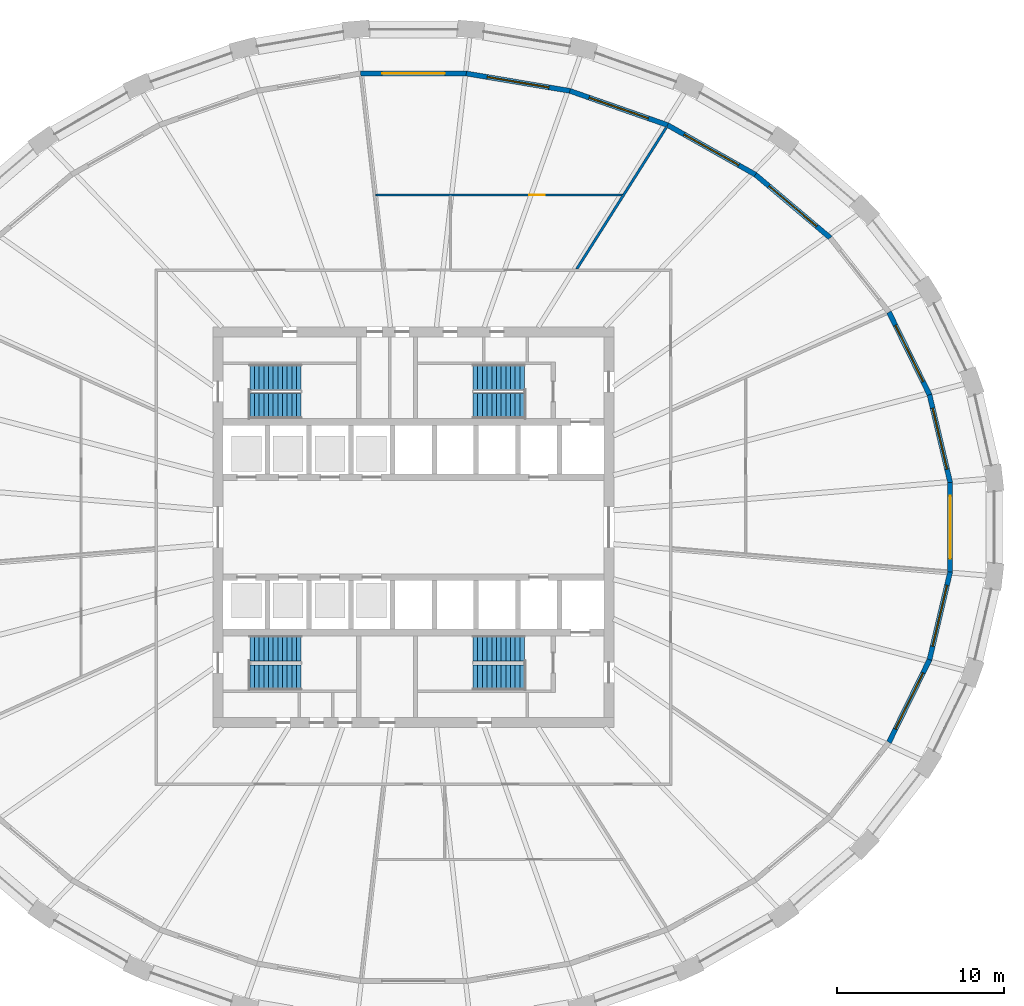
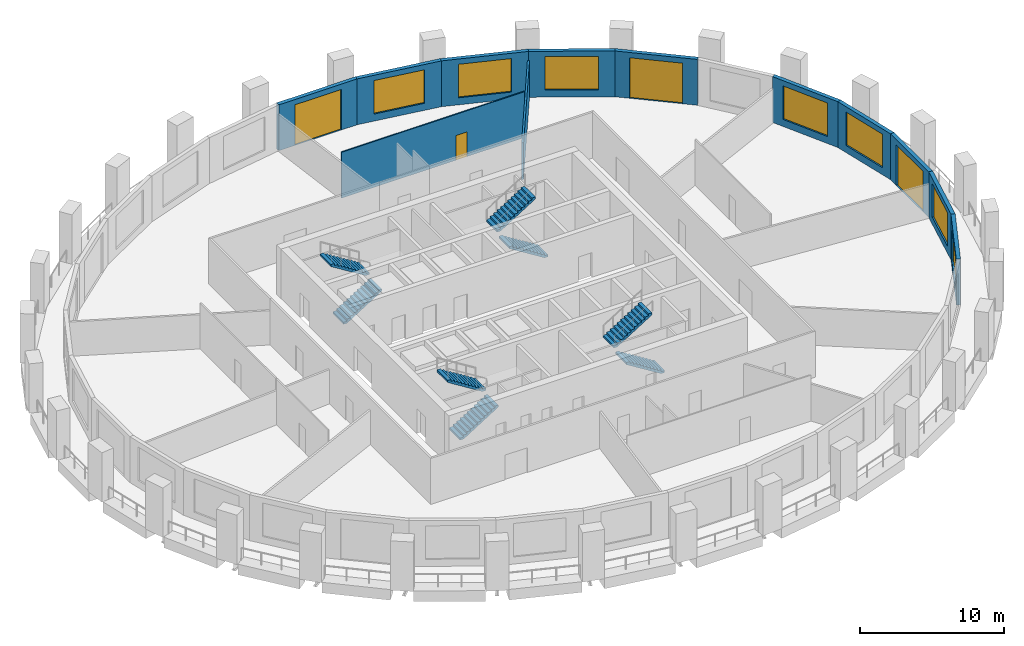
# One storey, part 7 of 10: 12 walls, 8 stair flights, 7 windows, 4 doors, 11 openings, 4 elements without a shape of their own.
"""IFC4 building model written with IfcOpenShell, lengths in metres."""

from ifc_helpers import new_model, si_unit, direction, frame, frame_2d, origin, place, context, subcontext, project, spatial, polyline, rectangle, outline, extrude, material, layer, layer_set, type_object, element, fill, aggregate, save


model = new_model("IFC4")

# Units and contexts
model_context = context("Model", 3, precision=1e-05, world=origin(), true_north=direction((0.0, 1.0)))
body_context = subcontext(model_context, "Body", "Model", "MODEL_VIEW")
ifc_project = project(units=[si_unit("LENGTHUNIT", "METRE"), si_unit("AREAUNIT", "SQUARE_METRE"), si_unit("VOLUMEUNIT", "CUBIC_METRE"), si_unit("PLANEANGLEUNIT", "RADIAN"), si_unit("MASSUNIT", "GRAM", prefix="KILO")], contexts=[model_context])

# Site, building, storey
site_placement = place(None, origin())
site = spatial("IfcSite", under=ifc_project, at=site_placement, CompositionType="ELEMENT")
building_placement = place(site_placement, origin())
building = spatial("IfcBuilding", under=site, at=building_placement, Name="Halqa Exchange Tower", CompositionType="ELEMENT")
storey_placement = place(building_placement, frame((0.0, 0.0, 121.300048828125)))
storey = spatial("IfcBuildingStorey", under=building, at=storey_placement, Name="L27", CompositionType="ELEMENT", Elevation=121.300048828125)

# Wall
ifc_material_1 = material(Name="Fire-rated gypsum board")
ifc_layer_1 = layer(ifc_material_1, 0.14990234375)
ifc_layer_set_1 = layer_set([ifc_layer_1], Name="Fire-rated gypsum board")
wall_type_1 = type_object("IfcWallType", Name="Fire partition EI 60 150", PredefinedType="PARTITIONING", material=ifc_layer_set_1)
wall_1_placement = place(storey_placement, frame((9.76220703125, 15.43505859375, 0.0), z_axis=(0.0, 0.0, 1.0), x_axis=(0.534830284385, 0.844959506074, 0.0)))
element("IfcWall", 1, at=wall_1_placement, inside=storey, type_object=wall_type_1, Name="L27-PWL-019", PredefinedType="PARTITIONING", context=body_context, shape_type="SweptSolid", body=[
    extrude(outline(polyline([(10.056884765625, 0.074951171875), (8.4697265625, 0.074951171875), (6.882568359375, 0.074951171875), (5.29541015625, 0.074951171875), (5.211181640625, 0.021728515625), (5.177490234375, 0.074951171875), (3.45166015625, 0.074951171875), (1.725830078125, 0.074951171875), (0.0, 0.074951171875), (0.0, 0.07470703125), (0.0947265625, -0.074951171875), (2.087158203125, -0.074951171875), (4.07958984375, -0.074951171875), (6.072021484375, -0.074951171875), (8.064453125, -0.074951171875), (10.056884765625, -0.074951171875), (10.056884765625, 0.074951171875)])), origin(), (0.0, 0.0, 1.0), 3.14697265625),
])

# Wall, opening, door
ifc_material_2 = material(Name="Gypsum board")
ifc_layer_2 = layer(ifc_material_2, 0.10009765625)
ifc_layer_set_2 = layer_set([ifc_layer_2], Name="Gypsum board")
wall_type_2 = type_object("IfcWallType", Name="Partition 100 gypsum", PredefinedType="PARTITIONING", material=ifc_layer_set_2)
wall_2_placement = place(storey_placement, frame((-2.2548828125, 19.89990234375, 0.0), z_axis=(0.0, 0.0, 1.0), x_axis=(1.0, 0.0, 0.0)))
wall_2 = element("IfcWall", 2, at=wall_2_placement, inside=storey, type_object=wall_type_2, Name="L27-PWL-013", PredefinedType="PARTITIONING", context=body_context, shape_type="SweptSolid", body=[
    extrude(outline(polyline([(0.011474609375, -0.050048828125), (1.479248046875, -0.050048828125), (2.947021484375, -0.050048828125), (4.414794921875, -0.050048828125), (4.414794921875, -0.0498046875), (4.514892578125, -0.0498046875), (4.514892578125, -0.050048828125), (6.21630859375, -0.050048828125), (7.91748046875, -0.050048828125), (9.618896484375, -0.050048828125), (11.320068359375, -0.050048828125), (13.021484375, -0.050048828125), (14.72265625, -0.050048828125), (14.77490234375, 0.032470703125), (14.77490234375, 0.0322265625), (14.785888671875, 0.0498046875), (14.785888671875, 0.050048828125), (12.937744140625, 0.050048828125), (11.08935546875, 0.050048828125), (9.2412109375, 0.050048828125), (7.39306640625, 0.050048828125), (5.544677734375, 0.050048828125), (3.696533203125, 0.050048828125), (1.84814453125, 0.050048828125), (0.0, 0.050048828125), (0.0, 0.048095703125), (0.011474609375, -0.050048828125)])), origin(), (0.0, 0.0, 1.0), 3.89990234375),
])
opening_1_placement = place(wall_2_placement, frame((9.205078125, 0.0, 0.0)))
opening_1 = element("IfcOpeningElement", 3, at=opening_1_placement, cuts=wall_2, Name="Opening 08-14", PredefinedType="OPENING", context=body_context, shape_type="SweptSolid", body=[
    extrude(rectangle(XDim=0.89990234375, YDim=2.10009765625, at=frame_2d((0.449951171875, 1.050048828125))), frame((0.0, 0.06201171875, 0.0), z_axis=(0.0, -1.0, 0.0), x_axis=(1.0, 0.0, 0.0)), (0.0, 0.0, 1.0), 0.1240234375),
])
ifc_material_3 = material(Name="Timber door leaf", Category="wood")
door_type_1 = type_object("IfcDoorType", Name="Door 900 x 2100", OperationType="SINGLE_SWING_LEFT", PredefinedType="DOOR", material=ifc_material_3)
door_1_placement = place(opening_1_placement, frame((0.89990234375, 0.0, 0.0), z_axis=(0.0, 0.0, 1.0), x_axis=(-1.0, 0.0, 0.0)))
door_1 = element("IfcDoor", 4, at=door_1_placement, inside=storey, type_object=door_type_1, Name="L27-IDR-014", OperationType="SINGLE_SWING_RIGHT", OverallHeight=2.10009765625, OverallWidth=0.89990234375, PredefinedType="DOOR", context=body_context, shape_type="SweptSolid", body=[
    extrude(rectangle(XDim=0.89990234375, YDim=2.10009765625, at=frame_2d((0.449951171875, 1.050048828125))), frame((0.0, 0.02490234375, 0.0), z_axis=(0.0, -1.0, 0.0), x_axis=(1.0, 0.0, 0.0)), (0.0, 0.0, 1.0), 0.050048828125),
])
fill(opening_1, door_1)

# Wall, opening, window
ifc_material_4 = material(Name="Limestone cladding", Category="masonry")
ifc_layer_3 = layer(ifc_material_4, 0.0400390625)
ifc_material_5 = material(Name="Ventilated cavity")
ifc_layer_4 = layer(ifc_material_5, 0.030029296875, ventilated=True)
ifc_material_6 = material(Name="Mineral wool insulation")
ifc_layer_5 = layer(ifc_material_6, 0.10009765625)
ifc_material_7 = material(Name="Concrete C30/37", Category="concrete")
ifc_layer_6 = layer(ifc_material_7, 0.10009765625)
ifc_material_8 = material(Name="Internal plaster")
ifc_layer_7 = layer(ifc_material_8, 0.030029296875)
ifc_layer_set_3 = layer_set([ifc_layer_3, ifc_layer_4, ifc_layer_5, ifc_layer_6, ifc_layer_7], Name="Stone-faced insulated wall 300")
wall_type_3 = type_object("IfcWallType", Name="Stone-faced insulated wall 300", PredefinedType="STANDARD", material=ifc_layer_set_3)
wall_3_placement = place(storey_placement, frame((32.142578125, 2.678955078125, 0.0), z_axis=(0.0, 0.0, 1.0), x_axis=(-0.229200658045, 0.973379195561, 0.0)))
wall_3 = element("IfcWall", 5, at=wall_3_placement, inside=storey, type_object=wall_type_3, Name="Glass-line wall 1", PredefinedType="STANDARD", context=body_context, shape_type="SweptSolid", body=[
    extrude(outline(polyline([(-0.017333984375, -0.14990234375), (5.415283203125, -0.14990234375), (5.381591796875, 0.14990234375), (0.017333984375, 0.14990234375), (-0.017333984375, -0.14990234375)])), origin(), (0.0, 0.0, 1.0), 3.89990234375),
])
opening_2_placement = place(wall_3_placement, frame((0.82421875, 0.0, 0.60009765625)))
opening_2 = element("IfcOpeningElement", 6, at=opening_2_placement, cuts=wall_3, Name="Opening W-F2-01", PredefinedType="OPENING", context=body_context, shape_type="SweptSolid", body=[
    extrude(rectangle(XDim=3.75, YDim=2.85009765625, at=frame_2d((1.875, 1.425048828125))), frame((0.0, 0.162109375, 0.0), z_axis=(0.0, -1.0, 0.0), x_axis=(1.0, 0.0, 0.0)), (0.0, 0.0, 1.0), 0.323974609375),
])
ifc_material_9 = material(Name="Clear low-emissivity glass in aluminium frame", Category="aluminium")
window_type = type_object("IfcWindowType", Name="Fixed clear glazed window 3750 x 2850", PartitioningType="TRIPLE_PANEL_VERTICAL", PredefinedType="WINDOW", material=ifc_material_9)
window_1_placement = place(opening_2_placement, origin())
window_1 = element("IfcWindow", 7, at=window_1_placement, inside=storey, type_object=window_type, Name="Window 2", OverallHeight=2.85009765625, OverallWidth=3.75, PartitioningType="TRIPLE_PANEL_VERTICAL", PredefinedType="WINDOW", context=body_context, shape_type="SweptSolid", body=[
    extrude(rectangle(XDim=3.75, YDim=2.85009765625, at=frame_2d((1.875, 1.425048828125))), frame((0.0, 0.030029296875, 0.0), z_axis=(0.0, -1.0, 0.0), x_axis=(1.0, 0.0, 0.0)), (0.0, 0.0, 1.0), 0.06005859375),
])
fill(opening_2, window_1)

wall_4_placement = place(storey_placement, frame((30.9052734375, 7.93359375, 0.0), z_axis=(0.0, 0.0, 1.0), x_axis=(-0.440306401535, 0.897847577692, 0.0)))
wall_4 = element("IfcWall", 8, at=wall_4_placement, inside=storey, type_object=wall_type_3, Name="Glass-line wall 2", PredefinedType="STANDARD", context=body_context, shape_type="SweptSolid", body=[
    extrude(outline(polyline([(-0.016845703125, -0.14990234375), (5.526611328125, -0.14990234375), (5.494384765625, 0.14990234375), (0.016845703125, 0.14990234375), (-0.016845703125, -0.14990234375)])), origin(), (0.0, 0.0, 1.0), 3.89990234375),
])
opening_3_placement = place(wall_4_placement, frame((0.880126953125, 0.0, 0.60009765625)))
opening_3 = element("IfcOpeningElement", 9, at=opening_3_placement, cuts=wall_4, Name="Opening W-F2-02", PredefinedType="OPENING", context=body_context, shape_type="SweptSolid", body=[
    extrude(rectangle(XDim=3.75, YDim=2.85009765625, at=frame_2d((1.875, 1.425048828125))), frame((0.0, 0.162109375, 0.0), z_axis=(0.0, -1.0, 0.0), x_axis=(1.0, 0.0, 0.0)), (0.0, 0.0, 1.0), 0.323974609375),
])
window_2_placement = place(opening_3_placement, origin())
window_2 = element("IfcWindow", 10, at=window_2_placement, inside=storey, type_object=window_type, Name="Window 2", OverallHeight=2.85009765625, OverallWidth=3.75, PartitioningType="TRIPLE_PANEL_VERTICAL", PredefinedType="WINDOW", context=body_context, shape_type="SweptSolid", body=[
    extrude(rectangle(XDim=3.75, YDim=2.85009765625, at=frame_2d((1.875, 1.425048828125))), frame((0.0, 0.030029296875, 0.0), z_axis=(0.0, -1.0, 0.0), x_axis=(1.0, 0.0, 0.0)), (0.0, 0.0, 1.0), 0.06005859375),
])
fill(opening_3, window_2)

# Wall, opening, door
wall_5_placement = place(storey_placement, frame((24.95849609375, 17.331787109375, 0.0), z_axis=(0.0, 0.0, 1.0), x_axis=(-0.763937302001, 0.645290476151, 0.0)))
wall_5 = element("IfcWall", 11, at=wall_5_placement, inside=storey, type_object=wall_type_3, Name="Glass-line wall 4", PredefinedType="STANDARD", context=body_context, shape_type="SweptSolid", body=[
    extrude(outline(polyline([(-0.01513671875, -0.14990234375), (5.87646484375, -0.14990234375), (5.84814453125, 0.14990234375), (0.01513671875, 0.14990234375), (-0.01513671875, -0.14990234375)])), origin(), (0.0, 0.0, 1.0), 3.89990234375),
])
opening_4_placement = place(wall_5_placement, frame((1.05615234375, 0.0, 0.0)))
opening_4 = element("IfcOpeningElement", 12, at=opening_4_placement, cuts=wall_5, Name="Opening LG-F2-01", PredefinedType="OPENING", context=body_context, shape_type="SweptSolid", body=[
    extrude(rectangle(XDim=3.75, YDim=3.449951171875, at=frame_2d((1.875, 1.72509765625))), frame((0.0, 0.162109375, 0.0), z_axis=(0.0, -1.0, 0.0), x_axis=(1.0, 0.0, 0.0)), (0.0, 0.0, 1.0), 0.323974609375),
])
door_type_2 = type_object("IfcDoorType", Name="Glazed sliding loggia door 3750 x 3450", OperationType="DOUBLE_DOOR_SLIDING", PredefinedType="DOOR", material=ifc_material_9)
door_2_placement = place(opening_4_placement, origin())
door_2 = element("IfcDoor", 13, at=door_2_placement, inside=storey, type_object=door_type_2, Name="Loggia door 1", OperationType="DOUBLE_DOOR_SLIDING", OverallHeight=3.449951171875, OverallWidth=3.75, PredefinedType="DOOR", context=body_context, shape_type="SweptSolid", body=[
    extrude(rectangle(XDim=3.75, YDim=3.449951171875, at=frame_2d((1.875, 1.72509765625))), frame((0.0, 0.02490234375, 0.0), z_axis=(0.0, -1.0, 0.0), x_axis=(1.0, 0.0, 0.0)), (0.0, 0.0, 1.0), 0.050048828125),
])
fill(opening_4, door_2)

# Wall, opening, window
wall_6_placement = place(storey_placement, frame((20.47998046875, 21.11474609375, 0.0), z_axis=(0.0, 0.0, 1.0), x_axis=(-0.870858332497, 0.491534093142, 0.0)))
wall_6 = element("IfcWall", 14, at=wall_6_placement, inside=storey, type_object=wall_type_3, Name="Glass-line wall 5", PredefinedType="STANDARD", context=body_context, shape_type="SweptSolid", body=[
    extrude(outline(polyline([(-0.01416015625, -0.14990234375), (6.0576171875, -0.14990234375), (6.03076171875, 0.14990234375), (0.01416015625, 0.14990234375), (-0.01416015625, -0.14990234375)])), origin(), (0.0, 0.0, 1.0), 3.89990234375),
])
opening_5_placement = place(wall_6_placement, frame((1.147216796875, 0.0, 0.60009765625)))
opening_5 = element("IfcOpeningElement", 15, at=opening_5_placement, cuts=wall_6, Name="Opening W-F2-05", PredefinedType="OPENING", context=body_context, shape_type="SweptSolid", body=[
    extrude(rectangle(XDim=3.75, YDim=2.85009765625, at=frame_2d((1.875, 1.425048828125))), frame((0.0, 0.162109375, 0.0), z_axis=(0.0, -1.0, 0.0), x_axis=(1.0, 0.0, 0.0)), (0.0, 0.0, 1.0), 0.323974609375),
])
window_3_placement = place(opening_5_placement, origin())
window_3 = element("IfcWindow", 16, at=window_3_placement, inside=storey, type_object=window_type, Name="Window 2", OverallHeight=2.85009765625, OverallWidth=3.75, PartitioningType="TRIPLE_PANEL_VERTICAL", PredefinedType="WINDOW", context=body_context, shape_type="SweptSolid", body=[
    extrude(rectangle(XDim=3.75, YDim=2.85009765625, at=frame_2d((1.875, 1.425048828125))), frame((0.0, 0.030029296875, 0.0), z_axis=(0.0, -1.0, 0.0), x_axis=(1.0, 0.0, 0.0)), (0.0, 0.0, 1.0), 0.06005859375),
])
fill(opening_5, window_3)

wall_7_placement = place(storey_placement, frame((15.21630859375, 24.085693359375, 0.0), z_axis=(0.0, 0.0, 1.0), x_axis=(-0.94389706045, 0.330239820849, 0.0)))
wall_7 = element("IfcWall", 17, at=wall_7_placement, inside=storey, type_object=wall_type_3, Name="Glass-line wall 6", PredefinedType="STANDARD", context=body_context, shape_type="SweptSolid", body=[
    extrude(outline(polyline([(-0.013427734375, -0.14990234375), (6.20703125, -0.14990234375), (6.181640625, 0.14990234375), (0.013427734375, 0.14990234375), (-0.013427734375, -0.14990234375)])), origin(), (0.0, 0.0, 1.0), 3.89990234375),
])
opening_6_placement = place(wall_7_placement, frame((1.22216796875, 0.0, 0.60009765625)))
opening_6 = element("IfcOpeningElement", 18, at=opening_6_placement, cuts=wall_7, Name="Opening W-F2-06", PredefinedType="OPENING", context=body_context, shape_type="SweptSolid", body=[
    extrude(rectangle(XDim=3.75, YDim=2.85009765625, at=frame_2d((1.875, 1.425048828125))), frame((0.0, 0.162109375, 0.0), z_axis=(0.0, -1.0, 0.0), x_axis=(1.0, 0.0, 0.0)), (0.0, 0.0, 1.0), 0.323974609375),
])
window_4_placement = place(opening_6_placement, origin())
window_4 = element("IfcWindow", 19, at=window_4_placement, inside=storey, type_object=window_type, Name="Window 2", OverallHeight=2.85009765625, OverallWidth=3.75, PartitioningType="TRIPLE_PANEL_VERTICAL", PredefinedType="WINDOW", context=body_context, shape_type="SweptSolid", body=[
    extrude(rectangle(XDim=3.75, YDim=2.85009765625, at=frame_2d((1.875, 1.425048828125))), frame((0.0, 0.030029296875, 0.0), z_axis=(0.0, -1.0, 0.0), x_axis=(1.0, 0.0, 0.0)), (0.0, 0.0, 1.0), 0.06005859375),
])
fill(opening_6, window_4)

wall_8_placement = place(storey_placement, frame((9.369384765625, 26.13134765625, 0.0), z_axis=(0.0, 0.0, 1.0), x_axis=(-0.986176011722, 0.165701158427, 0.0)))
wall_8 = element("IfcWall", 20, at=wall_8_placement, inside=storey, type_object=wall_type_3, Name="Glass-line wall 7", PredefinedType="STANDARD", context=body_context, shape_type="SweptSolid", body=[
    extrude(outline(polyline([(-0.0126953125, -0.14990234375), (6.30517578125, -0.14990234375), (6.2802734375, 0.14990234375), (0.0126953125, 0.14990234375), (-0.0126953125, -0.14990234375)])), origin(), (0.0, 0.0, 1.0), 3.89990234375),
])
opening_7_placement = place(wall_8_placement, frame((1.271484375, 0.0, 0.60009765625)))
opening_7 = element("IfcOpeningElement", 21, at=opening_7_placement, cuts=wall_8, Name="Opening W-F2-07", PredefinedType="OPENING", context=body_context, shape_type="SweptSolid", body=[
    extrude(rectangle(XDim=3.75, YDim=2.85009765625, at=frame_2d((1.875, 1.425048828125))), frame((0.0, 0.162109375, 0.0), z_axis=(0.0, -1.0, 0.0), x_axis=(1.0, 0.0, 0.0)), (0.0, 0.0, 1.0), 0.323974609375),
])
window_5_placement = place(opening_7_placement, origin())
window_5 = element("IfcWindow", 22, at=window_5_placement, inside=storey, type_object=window_type, Name="Window 2", OverallHeight=2.85009765625, OverallWidth=3.75, PartitioningType="TRIPLE_PANEL_VERTICAL", PredefinedType="WINDOW", context=body_context, shape_type="SweptSolid", body=[
    extrude(rectangle(XDim=3.75, YDim=2.85009765625, at=frame_2d((1.875, 1.425048828125))), frame((0.0, 0.030029296875, 0.0), z_axis=(0.0, -1.0, 0.0), x_axis=(1.0, 0.0, 0.0)), (0.0, 0.0, 1.0), 0.06005859375),
])
fill(opening_7, window_5)

# Wall, opening, door
wall_9_placement = place(storey_placement, frame((3.16357421875, 27.174072265625, 0.0), z_axis=(0.0, 0.0, 1.0), x_axis=(-1.0, 0.0, 0.0)))
wall_9 = element("IfcWall", 23, at=wall_9_placement, inside=storey, type_object=wall_type_3, Name="Glass-line wall 8", PredefinedType="STANDARD", context=body_context, shape_type="SweptSolid", body=[
    extrude(outline(polyline([(-0.012451171875, -0.14990234375), (6.339599609375, -0.14990234375), (6.314697265625, 0.14990234375), (0.012451171875, 0.14990234375), (-0.012451171875, -0.14990234375)])), origin(), (0.0, 0.0, 1.0), 3.89990234375),
])
opening_8_placement = place(wall_9_placement, frame((1.28857421875, 0.0, 0.0)))
opening_8 = element("IfcOpeningElement", 24, at=opening_8_placement, cuts=wall_9, Name="Opening LG-F2-02", PredefinedType="OPENING", context=body_context, shape_type="SweptSolid", body=[
    extrude(rectangle(XDim=3.75, YDim=3.449951171875, at=frame_2d((1.875, 1.72509765625))), frame((0.0, 0.162109375, 0.0), z_axis=(0.0, -1.0, 0.0), x_axis=(1.0, 0.0, 0.0)), (0.0, 0.0, 1.0), 0.323974609375),
])
door_3_placement = place(opening_8_placement, origin())
door_3 = element("IfcDoor", 25, at=door_3_placement, inside=storey, type_object=door_type_2, Name="Loggia door 2", OperationType="DOUBLE_DOOR_SLIDING", OverallHeight=3.449951171875, OverallWidth=3.75, PredefinedType="DOOR", context=body_context, shape_type="SweptSolid", body=[
    extrude(rectangle(XDim=3.75, YDim=3.449951171875, at=frame_2d((1.875, 1.72509765625))), frame((0.0, 0.02490234375, 0.0), z_axis=(0.0, -1.0, 0.0), x_axis=(1.0, 0.0, 0.0)), (0.0, 0.0, 1.0), 0.050048828125),
])
fill(opening_8, door_3)

# Wall, opening, window
wall_10_placement = place(storey_placement, frame((28.47900390625, -12.881103515625, 0.0), z_axis=(0.0, 0.0, 1.0), x_axis=(0.440306401535, 0.897847577692, 0.0)))
wall_10 = element("IfcWall", 26, at=wall_10_placement, inside=storey, type_object=wall_type_3, Name="Glass-line wall 30", PredefinedType="STANDARD", context=body_context, shape_type="SweptSolid", body=[
    extrude(outline(polyline([(-0.01611328125, -0.14990234375), (5.52734375, -0.14990234375), (5.49365234375, 0.14990234375), (0.01611328125, 0.14990234375), (-0.01611328125, -0.14990234375)])), origin(), (0.0, 0.0, 1.0), 3.89990234375),
])
opening_9_placement = place(wall_10_placement, frame((0.880126953125, 0.0, 0.60009765625)))
opening_9 = element("IfcOpeningElement", 27, at=opening_9_placement, cuts=wall_10, Name="Opening W-F2-30", PredefinedType="OPENING", context=body_context, shape_type="SweptSolid", body=[
    extrude(rectangle(XDim=3.75, YDim=2.85009765625, at=frame_2d((1.875, 1.425048828125))), frame((0.0, 0.162109375, 0.0), z_axis=(0.0, -1.0, 0.0), x_axis=(1.0, 0.0, 0.0)), (0.0, 0.0, 1.0), 0.323974609375),
])
window_6_placement = place(opening_9_placement, origin())
window_6 = element("IfcWindow", 28, at=window_6_placement, inside=storey, type_object=window_type, Name="Window 2", OverallHeight=2.85009765625, OverallWidth=3.75, PartitioningType="TRIPLE_PANEL_VERTICAL", PredefinedType="WINDOW", context=body_context, shape_type="SweptSolid", body=[
    extrude(rectangle(XDim=3.75, YDim=2.85009765625, at=frame_2d((1.875, 1.425048828125))), frame((0.0, 0.030029296875, 0.0), z_axis=(0.0, -1.0, 0.0), x_axis=(1.0, 0.0, 0.0)), (0.0, 0.0, 1.0), 0.06005859375),
])
fill(opening_9, window_6)

wall_11_placement = place(storey_placement, frame((30.9052734375, -7.93359375, 0.0), z_axis=(0.0, 0.0, 1.0), x_axis=(0.229200658045, 0.973379195561, 0.0)))
wall_11 = element("IfcWall", 29, at=wall_11_placement, inside=storey, type_object=wall_type_3, Name="Glass-line wall 31", PredefinedType="STANDARD", context=body_context, shape_type="SweptSolid", body=[
    extrude(outline(polyline([(-0.016845703125, -0.14990234375), (5.415771484375, -0.14990234375), (5.381103515625, 0.14990234375), (0.016845703125, 0.14990234375), (-0.016845703125, -0.14990234375)])), origin(), (0.0, 0.0, 1.0), 3.89990234375),
])
opening_10_placement = place(wall_11_placement, frame((0.82421875, 0.0, 0.60009765625)))
opening_10 = element("IfcOpeningElement", 30, at=opening_10_placement, cuts=wall_11, Name="Opening W-F2-31", PredefinedType="OPENING", context=body_context, shape_type="SweptSolid", body=[
    extrude(rectangle(XDim=3.75, YDim=2.85009765625, at=frame_2d((1.875, 1.425048828125))), frame((0.0, 0.162109375, 0.0), z_axis=(0.0, -1.0, 0.0), x_axis=(1.0, 0.0, 0.0)), (0.0, 0.0, 1.0), 0.323974609375),
])
window_7_placement = place(opening_10_placement, origin())
window_7 = element("IfcWindow", 31, at=window_7_placement, inside=storey, type_object=window_type, Name="Window 2", OverallHeight=2.85009765625, OverallWidth=3.75, PartitioningType="TRIPLE_PANEL_VERTICAL", PredefinedType="WINDOW", context=body_context, shape_type="SweptSolid", body=[
    extrude(rectangle(XDim=3.75, YDim=2.85009765625, at=frame_2d((1.875, 1.425048828125))), frame((0.0, 0.030029296875, 0.0), z_axis=(0.0, -1.0, 0.0), x_axis=(1.0, 0.0, 0.0)), (0.0, 0.0, 1.0), 0.06005859375),
])
fill(opening_10, window_7)

# Wall, opening, door
wall_12_placement = place(storey_placement, frame((32.142578125, -2.678955078125, 0.0), z_axis=(0.0, 0.0, 1.0), x_axis=(0.0, 1.0, 0.0)))
wall_12 = element("IfcWall", 32, at=wall_12_placement, inside=storey, type_object=wall_type_3, Name="Glass-line wall 32", PredefinedType="STANDARD", context=body_context, shape_type="SweptSolid", body=[
    extrude(outline(polyline([(-0.017333984375, -0.14990234375), (5.375244140625, -0.14990234375), (5.340576171875, 0.14990234375), (0.017333984375, 0.14990234375), (-0.017333984375, -0.14990234375)])), origin(), (0.0, 0.0, 1.0), 3.89990234375),
])
opening_11_placement = place(wall_12_placement, frame((0.803955078125, 0.0, 0.0)))
opening_11 = element("IfcOpeningElement", 33, at=opening_11_placement, cuts=wall_12, Name="Opening LG-F2-08", PredefinedType="OPENING", context=body_context, shape_type="SweptSolid", body=[
    extrude(rectangle(XDim=3.75, YDim=3.449951171875, at=frame_2d((1.875, 1.72509765625))), frame((0.0, 0.162109375, 0.0), z_axis=(0.0, -1.0, 0.0), x_axis=(1.0, 0.0, 0.0)), (0.0, 0.0, 1.0), 0.323974609375),
])
door_4_placement = place(opening_11_placement, origin())
door_4 = element("IfcDoor", 34, at=door_4_placement, inside=storey, type_object=door_type_2, Name="Loggia door 8", OperationType="DOUBLE_DOOR_SLIDING", OverallHeight=3.449951171875, OverallWidth=3.75, PredefinedType="DOOR", context=body_context, shape_type="SweptSolid", body=[
    extrude(rectangle(XDim=3.75, YDim=3.449951171875, at=frame_2d((1.875, 1.72509765625))), frame((0.0, 0.02490234375, 0.0), z_axis=(0.0, -1.0, 0.0), x_axis=(1.0, 0.0, 0.0)), (0.0, 0.0, 1.0), 0.050048828125),
])
fill(opening_11, door_4)

# Stair, stair flights
stair_type = type_object("IfcStairType", Name="Exit stair 1500 wide", PredefinedType="HALF_TURN_STAIR", material=ifc_material_7)
stair_1_placement = place(storey_placement, origin())
stair_1 = element("IfcStair", 35, at=stair_1_placement, inside=storey, type_object=stair_type, Name="Exit stair ST1", PredefinedType="HALF_TURN_STAIR")
stair_flight_type = type_object("IfcStairFlightType", Name="Stair flight 1500 wide", PredefinedType="STRAIGHT", material=ifc_material_7)
stair_flight_1_placement = place(storey_placement, frame((-9.800048828125, 7.25, 0.0), z_axis=(0.0, 0.0, 1.0), x_axis=(1.0, 0.0, 0.0)))
stair_flight_1 = element("IfcStairFlight", 36, at=stair_flight_1_placement, type_object=stair_flight_type, Name="ST1 flight 1", NumberOfRisers=12, NumberOfTreads=11, PredefinedType="STRAIGHT", RiserHeight=0.175, TreadLength=0.28, context=body_context, shape_type="SweptSolid", body=[
    extrude(outline(polyline([(0.0, 0.0), (0.0, 0.175048828125), (0.280029296875, 0.175048828125), (0.280029296875, 0.35009765625), (0.56005859375, 0.35009765625), (0.56005859375, 0.52490234375), (0.840087890625, 0.52490234375), (0.840087890625, 0.699951171875), (1.1201171875, 0.699951171875), (1.1201171875, 0.875), (1.39990234375, 0.875), (1.39990234375, 1.050048828125), (1.679931640625, 1.050048828125), (1.679931640625, 1.22509765625), (1.9599609375, 1.22509765625), (1.9599609375, 1.39990234375), (2.239990234375, 1.39990234375), (2.239990234375, 1.574951171875), (2.52001953125, 1.574951171875), (2.52001953125, 1.75), (2.800048828125, 1.75), (2.800048828125, 1.925048828125), (3.080078125, 1.925048828125), (3.080078125, 2.10009765625), (3.080078125, 1.748291015625), (0.28271484375, 0.0), (0.0, 0.0)])), frame((0.0, 0.75, 0.0), z_axis=(0.0, -1.0, 0.0), x_axis=(1.0, 0.0, 0.0)), (0.0, 0.0, 1.0), 1.5),
])
stair_flight_2_placement = place(storey_placement, frame((-6.719970703125, 9.0, 2.099853515625), z_axis=(0.0, 0.0, 1.0), x_axis=(-1.0, 0.0, 0.0)))
stair_flight_2 = element("IfcStairFlight", 37, at=stair_flight_2_placement, type_object=stair_flight_type, Name="ST1 flight 2", NumberOfRisers=12, NumberOfTreads=11, PredefinedType="STRAIGHT", RiserHeight=0.175, TreadLength=0.28, context=body_context, shape_type="SweptSolid", body=[
    extrude(outline(polyline([(0.0, 0.0), (0.0, 0.175048828125), (0.280029296875, 0.175048828125), (0.280029296875, 0.35009765625), (0.56005859375, 0.35009765625), (0.56005859375, 0.52490234375), (0.840087890625, 0.52490234375), (0.840087890625, 0.699951171875), (1.1201171875, 0.699951171875), (1.1201171875, 0.875), (1.39990234375, 0.875), (1.39990234375, 1.050048828125), (1.679931640625, 1.050048828125), (1.679931640625, 1.22509765625), (1.9599609375, 1.22509765625), (1.9599609375, 1.39990234375), (2.239990234375, 1.39990234375), (2.239990234375, 1.574951171875), (2.52001953125, 1.574951171875), (2.52001953125, 1.75), (2.800048828125, 1.75), (2.800048828125, 1.925048828125), (3.080078125, 1.925048828125), (3.080078125, 2.10009765625), (3.080078125, 1.748291015625), (0.28271484375, 0.0), (0.0, 0.0)])), frame((0.0, 0.75, 0.0), z_axis=(0.0, -1.0, 0.0), x_axis=(1.0, 0.0, 0.0)), (0.0, 0.0, 1.0), 1.5),
])
aggregate(stair_1, [stair_flight_1, stair_flight_2])

stair_2_placement = place(storey_placement, origin())
stair_2 = element("IfcStair", 38, at=stair_2_placement, inside=storey, type_object=stair_type, Name="Exit stair ST2", PredefinedType="HALF_TURN_STAIR")
stair_flight_3_placement = place(storey_placement, frame((6.64990234375, 7.25, 0.0), z_axis=(0.0, 0.0, 1.0), x_axis=(-1.0, 0.0, 0.0)))
stair_flight_3 = element("IfcStairFlight", 39, at=stair_flight_3_placement, type_object=stair_flight_type, Name="ST2 flight 1", NumberOfRisers=12, NumberOfTreads=11, PredefinedType="STRAIGHT", RiserHeight=0.175, TreadLength=0.28, context=body_context, shape_type="SweptSolid", body=[
    extrude(outline(polyline([(0.0, 0.0), (0.0, 0.175048828125), (0.280029296875, 0.175048828125), (0.280029296875, 0.35009765625), (0.56005859375, 0.35009765625), (0.56005859375, 0.52490234375), (0.840087890625, 0.52490234375), (0.840087890625, 0.699951171875), (1.1201171875, 0.699951171875), (1.1201171875, 0.875), (1.39990234375, 0.875), (1.39990234375, 1.050048828125), (1.679931640625, 1.050048828125), (1.679931640625, 1.22509765625), (1.9599609375, 1.22509765625), (1.9599609375, 1.39990234375), (2.239990234375, 1.39990234375), (2.239990234375, 1.574951171875), (2.52001953125, 1.574951171875), (2.52001953125, 1.75), (2.800048828125, 1.75), (2.800048828125, 1.925048828125), (3.080078125, 1.925048828125), (3.080078125, 2.10009765625), (3.080078125, 1.748291015625), (0.28271484375, 0.0), (0.0, 0.0)])), frame((0.0, 0.75, 0.0), z_axis=(0.0, -1.0, 0.0), x_axis=(1.0, 0.0, 0.0)), (0.0, 0.0, 1.0), 1.5),
])
stair_flight_4_placement = place(storey_placement, frame((3.570068359375, 9.0, 2.099853515625), z_axis=(0.0, 0.0, 1.0), x_axis=(1.0, 0.0, 0.0)))
stair_flight_4 = element("IfcStairFlight", 40, at=stair_flight_4_placement, type_object=stair_flight_type, Name="ST2 flight 2", NumberOfRisers=12, NumberOfTreads=11, PredefinedType="STRAIGHT", RiserHeight=0.175, TreadLength=0.28, context=body_context, shape_type="SweptSolid", body=[
    extrude(outline(polyline([(0.0, 0.0), (0.0, 0.175048828125), (0.280029296875, 0.175048828125), (0.280029296875, 0.35009765625), (0.56005859375, 0.35009765625), (0.56005859375, 0.52490234375), (0.840087890625, 0.52490234375), (0.840087890625, 0.699951171875), (1.1201171875, 0.699951171875), (1.1201171875, 0.875), (1.39990234375, 0.875), (1.39990234375, 1.050048828125), (1.679931640625, 1.050048828125), (1.679931640625, 1.22509765625), (1.9599609375, 1.22509765625), (1.9599609375, 1.39990234375), (2.239990234375, 1.39990234375), (2.239990234375, 1.574951171875), (2.52001953125, 1.574951171875), (2.52001953125, 1.75), (2.800048828125, 1.75), (2.800048828125, 1.925048828125), (3.080078125, 1.925048828125), (3.080078125, 2.10009765625), (3.080078125, 1.748291015625), (0.28271484375, 0.0), (0.0, 0.0)])), frame((0.0, 0.75, 0.0), z_axis=(0.0, -1.0, 0.0), x_axis=(1.0, 0.0, 0.0)), (0.0, 0.0, 1.0), 1.5),
])
aggregate(stair_2, [stair_flight_3, stair_flight_4])

stair_3_placement = place(storey_placement, origin())
stair_3 = element("IfcStair", 41, at=stair_3_placement, inside=storey, type_object=stair_type, Name="Exit stair ST3", PredefinedType="HALF_TURN_STAIR")
stair_flight_5_placement = place(storey_placement, frame((-9.800048828125, -9.0, 0.0), z_axis=(0.0, 0.0, 1.0), x_axis=(1.0, 0.0, 0.0)))
stair_flight_5 = element("IfcStairFlight", 42, at=stair_flight_5_placement, type_object=stair_flight_type, Name="ST3 flight 1", NumberOfRisers=12, NumberOfTreads=11, PredefinedType="STRAIGHT", RiserHeight=0.175, TreadLength=0.28, context=body_context, shape_type="SweptSolid", body=[
    extrude(outline(polyline([(0.0, 0.0), (0.0, 0.175048828125), (0.280029296875, 0.175048828125), (0.280029296875, 0.35009765625), (0.56005859375, 0.35009765625), (0.56005859375, 0.52490234375), (0.840087890625, 0.52490234375), (0.840087890625, 0.699951171875), (1.1201171875, 0.699951171875), (1.1201171875, 0.875), (1.39990234375, 0.875), (1.39990234375, 1.050048828125), (1.679931640625, 1.050048828125), (1.679931640625, 1.22509765625), (1.9599609375, 1.22509765625), (1.9599609375, 1.39990234375), (2.239990234375, 1.39990234375), (2.239990234375, 1.574951171875), (2.52001953125, 1.574951171875), (2.52001953125, 1.75), (2.800048828125, 1.75), (2.800048828125, 1.925048828125), (3.080078125, 1.925048828125), (3.080078125, 2.10009765625), (3.080078125, 1.748291015625), (0.28271484375, 0.0), (0.0, 0.0)])), frame((0.0, 0.75, 0.0), z_axis=(0.0, -1.0, 0.0), x_axis=(1.0, 0.0, 0.0)), (0.0, 0.0, 1.0), 1.5),
])
stair_flight_6_placement = place(storey_placement, frame((-6.719970703125, -7.25, 2.099853515625), z_axis=(0.0, 0.0, 1.0), x_axis=(-1.0, 0.0, 0.0)))
stair_flight_6 = element("IfcStairFlight", 43, at=stair_flight_6_placement, type_object=stair_flight_type, Name="ST3 flight 2", NumberOfRisers=12, NumberOfTreads=11, PredefinedType="STRAIGHT", RiserHeight=0.175, TreadLength=0.28, context=body_context, shape_type="SweptSolid", body=[
    extrude(outline(polyline([(0.0, 0.0), (0.0, 0.175048828125), (0.280029296875, 0.175048828125), (0.280029296875, 0.35009765625), (0.56005859375, 0.35009765625), (0.56005859375, 0.52490234375), (0.840087890625, 0.52490234375), (0.840087890625, 0.699951171875), (1.1201171875, 0.699951171875), (1.1201171875, 0.875), (1.39990234375, 0.875), (1.39990234375, 1.050048828125), (1.679931640625, 1.050048828125), (1.679931640625, 1.22509765625), (1.9599609375, 1.22509765625), (1.9599609375, 1.39990234375), (2.239990234375, 1.39990234375), (2.239990234375, 1.574951171875), (2.52001953125, 1.574951171875), (2.52001953125, 1.75), (2.800048828125, 1.75), (2.800048828125, 1.925048828125), (3.080078125, 1.925048828125), (3.080078125, 2.10009765625), (3.080078125, 1.748291015625), (0.28271484375, 0.0), (0.0, 0.0)])), frame((0.0, 0.75, 0.0), z_axis=(0.0, -1.0, 0.0), x_axis=(1.0, 0.0, 0.0)), (0.0, 0.0, 1.0), 1.5),
])
aggregate(stair_3, [stair_flight_5, stair_flight_6])

stair_4_placement = place(storey_placement, origin())
stair_4 = element("IfcStair", 44, at=stair_4_placement, inside=storey, type_object=stair_type, Name="Exit stair ST4", PredefinedType="HALF_TURN_STAIR")
stair_flight_7_placement = place(storey_placement, frame((6.64990234375, -9.0, 0.0), z_axis=(0.0, 0.0, 1.0), x_axis=(-1.0, 0.0, 0.0)))
stair_flight_7 = element("IfcStairFlight", 45, at=stair_flight_7_placement, type_object=stair_flight_type, Name="ST4 flight 1", NumberOfRisers=12, NumberOfTreads=11, PredefinedType="STRAIGHT", RiserHeight=0.175, TreadLength=0.28, context=body_context, shape_type="SweptSolid", body=[
    extrude(outline(polyline([(0.0, 0.0), (0.0, 0.175048828125), (0.280029296875, 0.175048828125), (0.280029296875, 0.35009765625), (0.56005859375, 0.35009765625), (0.56005859375, 0.52490234375), (0.840087890625, 0.52490234375), (0.840087890625, 0.699951171875), (1.1201171875, 0.699951171875), (1.1201171875, 0.875), (1.39990234375, 0.875), (1.39990234375, 1.050048828125), (1.679931640625, 1.050048828125), (1.679931640625, 1.22509765625), (1.9599609375, 1.22509765625), (1.9599609375, 1.39990234375), (2.239990234375, 1.39990234375), (2.239990234375, 1.574951171875), (2.52001953125, 1.574951171875), (2.52001953125, 1.75), (2.800048828125, 1.75), (2.800048828125, 1.925048828125), (3.080078125, 1.925048828125), (3.080078125, 2.10009765625), (3.080078125, 1.748291015625), (0.28271484375, 0.0), (0.0, 0.0)])), frame((0.0, 0.75, 0.0), z_axis=(0.0, -1.0, 0.0), x_axis=(1.0, 0.0, 0.0)), (0.0, 0.0, 1.0), 1.5),
])
stair_flight_8_placement = place(storey_placement, frame((3.570068359375, -7.25, 2.099853515625), z_axis=(0.0, 0.0, 1.0), x_axis=(1.0, 0.0, 0.0)))
stair_flight_8 = element("IfcStairFlight", 46, at=stair_flight_8_placement, type_object=stair_flight_type, Name="ST4 flight 2", NumberOfRisers=12, NumberOfTreads=11, PredefinedType="STRAIGHT", RiserHeight=0.175, TreadLength=0.28, context=body_context, shape_type="SweptSolid", body=[
    extrude(outline(polyline([(0.0, 0.0), (0.0, 0.175048828125), (0.280029296875, 0.175048828125), (0.280029296875, 0.35009765625), (0.56005859375, 0.35009765625), (0.56005859375, 0.52490234375), (0.840087890625, 0.52490234375), (0.840087890625, 0.699951171875), (1.1201171875, 0.699951171875), (1.1201171875, 0.875), (1.39990234375, 0.875), (1.39990234375, 1.050048828125), (1.679931640625, 1.050048828125), (1.679931640625, 1.22509765625), (1.9599609375, 1.22509765625), (1.9599609375, 1.39990234375), (2.239990234375, 1.39990234375), (2.239990234375, 1.574951171875), (2.52001953125, 1.574951171875), (2.52001953125, 1.75), (2.800048828125, 1.75), (2.800048828125, 1.925048828125), (3.080078125, 1.925048828125), (3.080078125, 2.10009765625), (3.080078125, 1.748291015625), (0.28271484375, 0.0), (0.0, 0.0)])), frame((0.0, 0.75, 0.0), z_axis=(0.0, -1.0, 0.0), x_axis=(1.0, 0.0, 0.0)), (0.0, 0.0, 1.0), 1.5),
])
aggregate(stair_4, [stair_flight_7, stair_flight_8])

save(model, "model.ifc")
